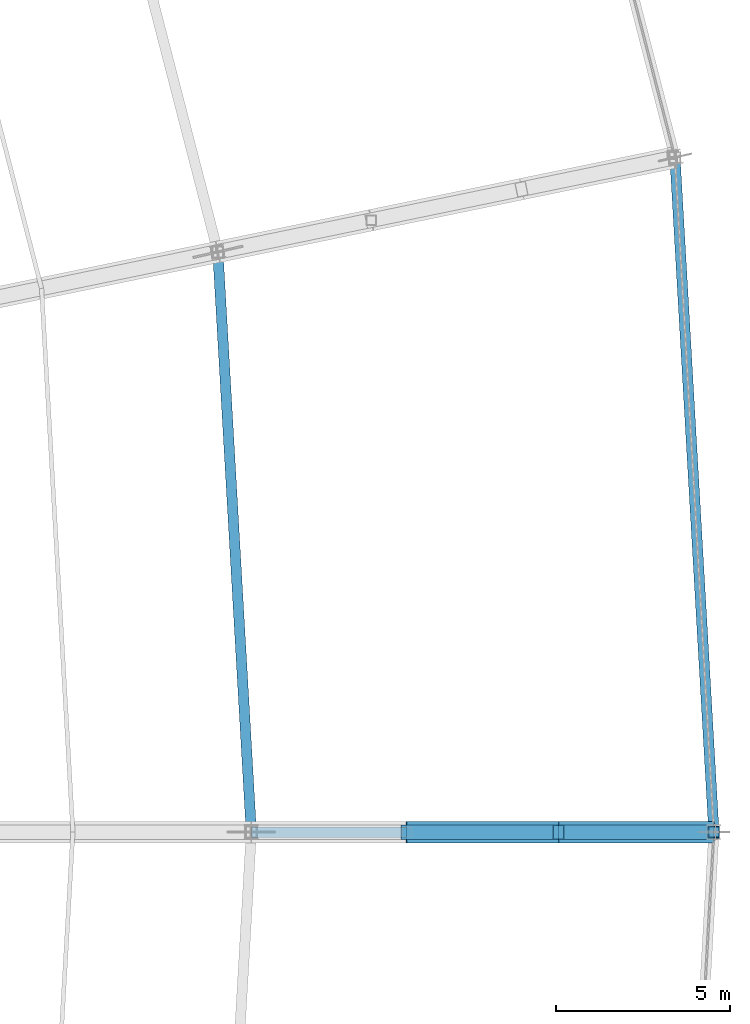
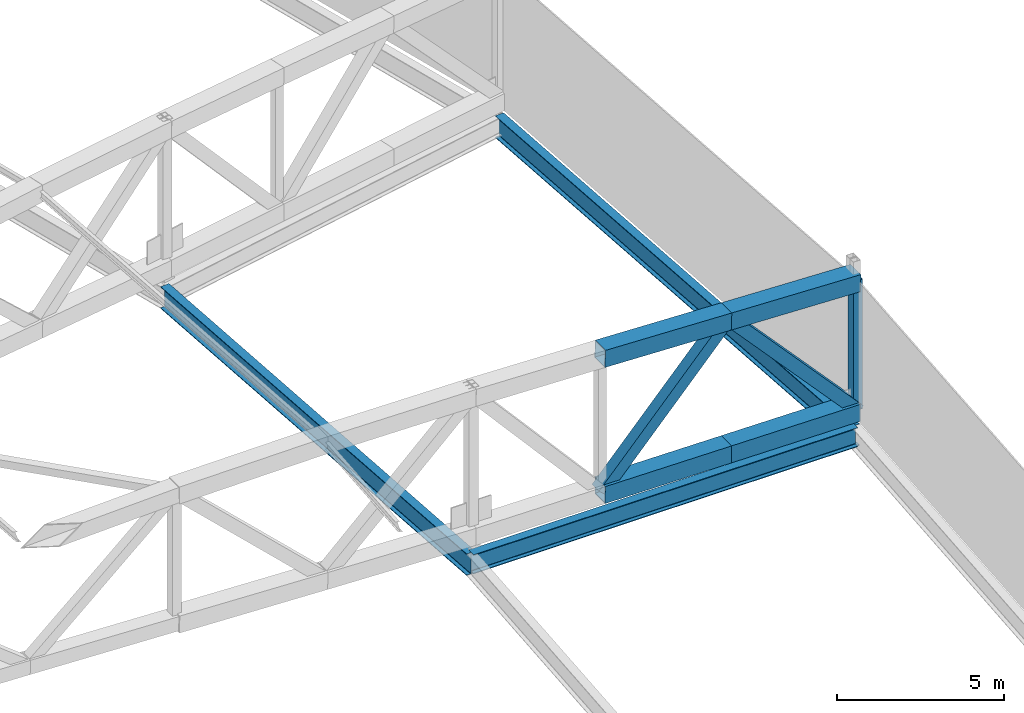
# One storey, part 59 of 162: 7 members, 3 beams.
"""IFC4 building model written with IfcOpenShell, lengths in metres."""

from ifc_helpers import new_model, si_unit, direction, frame, origin, origin_2d, place, context, subcontext, project, spatial, hollow_rectangle, i_section, extrude, material, material_profile, profile_set, type_object, element, save


model = new_model("IFC4")

# Units and contexts
model_context = context("Model", 3, precision=1e-05, world=origin(), true_north=direction((0.0, 1.0)))
body_context = subcontext(model_context, "Body", "Model", "MODEL_VIEW")
ifc_project = project(units=[si_unit("LENGTHUNIT", "METRE"), si_unit("AREAUNIT", "SQUARE_METRE"), si_unit("VOLUMEUNIT", "CUBIC_METRE"), si_unit("PLANEANGLEUNIT", "RADIAN"), si_unit("MASSUNIT", "GRAM", prefix="KILO")], contexts=[model_context])

# Site, building, storey
site_placement = place(None, origin())
site = spatial("IfcSite", under=ifc_project, at=site_placement, CompositionType="ELEMENT")
building_placement = place(site_placement, origin())
building = spatial("IfcBuilding", under=site, at=building_placement, Name="Kazemori Nagisa Stadium", CompositionType="ELEMENT")
storey_placement = place(building_placement, frame((0.0, 0.0, 36.719970703125)))
storey = spatial("IfcBuildingStorey", under=building, at=storey_placement, Name="RF", CompositionType="ELEMENT", Elevation=36.719970703125)

# Beams
ifc_material_1 = material(Name="Steel SN490B", Category="steel")
ifc_material_profile_1 = material_profile(ifc_material_1, i_section(OverallWidth=0.300048828125, OverallDepth=0.699951171875, WebThickness=0.012939453125, FlangeThickness=0.02392578125, FilletRadius=0.01806640625, at=origin_2d()), Name="H-700x300x13x24")
ifc_profile_set_1 = profile_set([ifc_material_profile_1], Name="Steel SN490B")
beam_type_1 = type_object("IfcBeamType", Name="Beam_BG-H700", PredefinedType="BEAM", material=ifc_profile_set_1)
beam_1_placement = place(storey_placement, frame((204.699951171875, 102.0, -0.6298828125), z_axis=(1.0, 0.0, 0.0), x_axis=(0.0, 1.0, 0.0)))
element("IfcBeam", 1, at=beam_1_placement, inside=storey, type_object=beam_type_1, Name="Radial girder BG-H700 RF R2-R3-01", PredefinedType="BEAM", context=body_context, shape_type="SweptSolid", body=[
    extrude(i_section(OverallWidth=0.300048828125, OverallDepth=0.699951171875, WebThickness=0.012939453125, FlangeThickness=0.02392578125, FilletRadius=0.01806640625, at=origin_2d()), origin(), (0.0, 0.0, 1.0), 13.300048828125),
])
ifc_material_profile_2 = material_profile(ifc_material_1, i_section(OverallWidth=0.300048828125, OverallDepth=0.800048828125, WebThickness=0.013916015625, FlangeThickness=0.02587890625, FilletRadius=0.01806640625, at=origin_2d()), Name="H-800x300x14x26")
ifc_profile_set_2 = profile_set([ifc_material_profile_2], Name="Steel SN490B")
beam_type_2 = type_object("IfcBeamType", Name="Beam_BG-H800", PredefinedType="BEAM", material=ifc_profile_set_2)
beam_2_placement = place(storey_placement, frame((204.699951171875, 102.0, -0.679931640625), z_axis=(-0.057594854854, 0.998340038611, 0.0), x_axis=(-0.998340038611, -0.057594854854, 0.0)))
element("IfcBeam", 2, at=beam_2_placement, inside=storey, type_object=beam_type_2, Name="Ring girder BG-H800 RF R2-01", PredefinedType="BEAM", context=body_context, shape_type="SweptSolid", body=[
    extrude(i_section(OverallWidth=0.300048828125, OverallDepth=0.800048828125, WebThickness=0.013916015625, FlangeThickness=0.02587890625, FilletRadius=0.01806640625, at=origin_2d()), origin(), (0.0, 0.0, 1.0), 16.7099609375),
])
beam_3_placement = place(storey_placement, frame((218.0, 102.0, -0.679931640625), z_axis=(-0.057598702622, 0.998339816624, 0.0), x_axis=(-0.998339816624, -0.057598702622, 0.0)))
element("IfcBeam", 3, at=beam_3_placement, inside=storey, type_object=beam_type_2, Name="Roof compression ring beam BG-H800 R3-01", PredefinedType="BEAM", context=body_context, shape_type="SweptSolid", body=[
    extrude(i_section(OverallWidth=0.300048828125, OverallDepth=0.800048828125, WebThickness=0.013916015625, FlangeThickness=0.02587890625, FilletRadius=0.01806640625, at=origin_2d()), origin(), (0.0, 0.0, 1.0), 19.429931640625),
])

# Members
ifc_material_2 = material(Name="Steel STKR490", Category="steel")
ifc_material_profile_3 = material_profile(ifc_material_2, hollow_rectangle(XDim=0.419921875, YDim=0.419921875, WallThickness=0.01611328125, at=origin_2d()), Name="SHS-420x420x16")
ifc_profile_set_3 = profile_set([ifc_material_profile_3], Name="Steel STKR490")
member_type_1 = type_object("IfcMemberType", Name="Member_TB-SHS420", PredefinedType="BRACE", material=ifc_profile_set_3)
member_1_placement = place(storey_placement, frame((218.0, 102.0, 0.360107421875), z_axis=(-0.673550363911, 0.0, 0.739141331056), x_axis=(0.0, -1.0, 0.0)))
element("IfcMember", 4, at=member_1_placement, inside=storey, type_object=member_type_1, Name="Roof space truss diagonal RT-01-1", PredefinedType="BRACE", context=body_context, shape_type="SweptSolid", body=[
    extrude(hollow_rectangle(XDim=0.419921875, YDim=0.419921875, WallThickness=0.01611328125, at=origin_2d()), origin(), (0.0, 0.0, 1.0), 6.629150390625),
])
member_2_placement = place(storey_placement, frame((213.534912109375, 102.0, 5.260009765625), z_axis=(-0.671661705914, 0.0, -0.740857984237), x_axis=(0.0, -1.0, 0.0)))
element("IfcMember", 5, at=member_2_placement, inside=storey, type_object=member_type_1, Name="Roof space truss diagonal RT-01-2", PredefinedType="BRACE", context=body_context, shape_type="SweptSolid", body=[
    extrude(hollow_rectangle(XDim=0.419921875, YDim=0.419921875, WallThickness=0.01611328125, at=origin_2d()), origin(), (0.0, 0.0, 1.0), 6.506103515625),
])
ifc_material_profile_4 = material_profile(ifc_material_2, hollow_rectangle(XDim=0.6201171875, YDim=0.6201171875, WallThickness=0.02197265625, at=origin_2d()), Name="SHS-620x620x22")
ifc_profile_set_4 = profile_set([ifc_material_profile_4], Name="Steel STKR490")
member_type_2 = type_object("IfcMemberType", Name="Member_TC-SHS620", PredefinedType="CHORD", material=ifc_profile_set_4)
member_3_placement = place(storey_placement, frame((218.0, 102.0, 5.10009765625), z_axis=(-0.999359299373, 0.0, 0.03579093122), x_axis=(0.0, -1.0, 0.0)))
element("IfcMember", 6, at=member_3_placement, inside=storey, type_object=member_type_2, Name="Roof space truss top chord RT-01-1", PredefinedType="CHORD", context=body_context, shape_type="SweptSolid", body=[
    extrude(hollow_rectangle(XDim=0.6201171875, YDim=0.6201171875, WallThickness=0.02197265625, at=origin_2d()), origin(), (0.0, 0.0, 1.0), 4.468017578125),
])
member_4_placement = place(storey_placement, frame((218.0, 102.0, 0.360107421875), z_axis=(-0.999959797636, 0.0, 0.008966778217), x_axis=(0.0, -1.0, 0.0)))
element("IfcMember", 7, at=member_4_placement, inside=storey, type_object=member_type_2, Name="Roof space truss bottom chord RT-01-1", PredefinedType="CHORD", context=body_context, shape_type="SweptSolid", body=[
    extrude(hollow_rectangle(XDim=0.6201171875, YDim=0.6201171875, WallThickness=0.02197265625, at=origin_2d()), origin(), (0.0, 0.0, 1.0), 4.46533203125),
])
member_5_placement = place(storey_placement, frame((213.534912109375, 102.0, 5.260009765625), z_axis=(-0.99933110315, 0.0, 0.03656974538), x_axis=(0.0, -1.0, 0.0)))
element("IfcMember", 8, at=member_5_placement, inside=storey, type_object=member_type_2, Name="Roof space truss top chord RT-01-2", PredefinedType="CHORD", context=body_context, shape_type="SweptSolid", body=[
    extrude(hollow_rectangle(XDim=0.6201171875, YDim=0.6201171875, WallThickness=0.02197265625, at=origin_2d()), origin(), (0.0, 0.0, 1.0), 4.372802734375),
])
member_6_placement = place(storey_placement, frame((213.534912109375, 102.0, 0.400146484375), z_axis=(-0.999958537005, 0.0, 0.009106276414), x_axis=(0.0, -1.0, 0.0)))
element("IfcMember", 9, at=member_6_placement, inside=storey, type_object=member_type_2, Name="Roof space truss bottom chord RT-01-2", PredefinedType="CHORD", context=body_context, shape_type="SweptSolid", body=[
    extrude(hollow_rectangle(XDim=0.6201171875, YDim=0.6201171875, WallThickness=0.02197265625, at=origin_2d()), origin(), (0.0, 0.0, 1.0), 4.3701171875),
])
ifc_material_profile_5 = material_profile(ifc_material_2, hollow_rectangle(XDim=0.320068359375, YDim=0.320068359375, WallThickness=0.011962890625, at=origin_2d()), Name="SHS-320x320x12")
ifc_profile_set_5 = profile_set([ifc_material_profile_5], Name="Steel STKR490")
member_type_3 = type_object("IfcMemberType", Name="Member_TS-SHS320", PredefinedType="STRUT", material=ifc_profile_set_5)
member_7_placement = place(storey_placement, frame((218.0, 102.0, 0.360107421875), z_axis=(0.0, 0.0, 1.0), x_axis=(1.0, 0.0, 0.0)))
element("IfcMember", 10, at=member_7_placement, inside=storey, type_object=member_type_3, Name="Roof space truss strut RT-01-1", PredefinedType="STRUT", context=body_context, shape_type="SweptSolid", body=[
    extrude(hollow_rectangle(XDim=0.320068359375, YDim=0.320068359375, WallThickness=0.011962890625, at=origin_2d()), origin(), (0.0, 0.0, 1.0), 4.739990234375),
])

save(model, "model.ifc")
